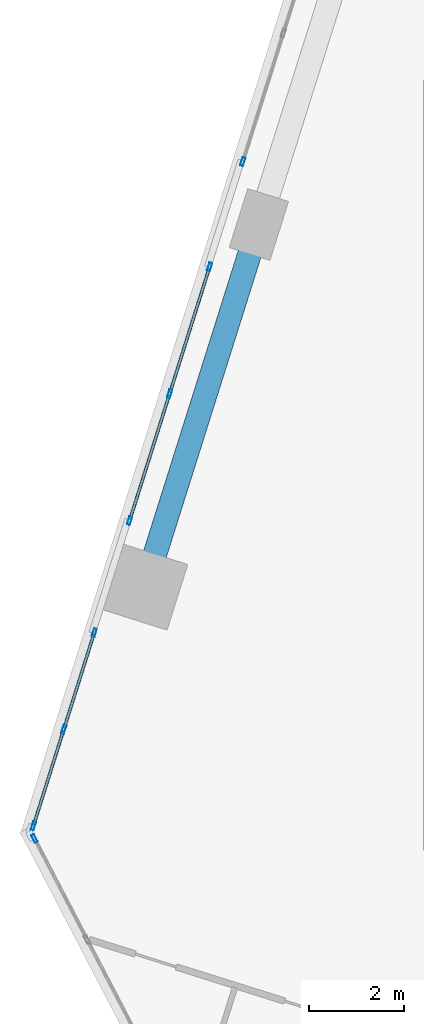
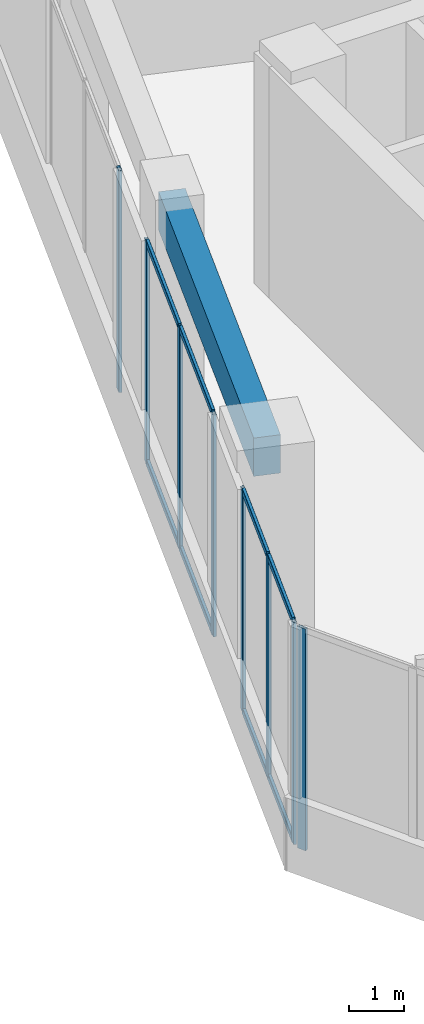
# One storey, part 6 of 28: 16 members, 1 beam, 4 elements without a shape of their own.
"""IFC4 building model written with IfcOpenShell, lengths in metres."""

from ifc_helpers import new_model, si_unit, direction, frame, origin, origin_2d, place, context, subcontext, project, spatial, rectangle, hollow_rectangle, extrude, source, transform, mapped, material, material_profile, profile_set, type_object, element, aggregate, save


model = new_model("IFC4")

# Units and contexts
model_context = context("Model", 3, precision=1e-05, world=origin(), true_north=direction((0.0, 1.0)))
body_context = subcontext(model_context, "Body", "Model", "MODEL_VIEW")
ifc_project = project(units=[si_unit("LENGTHUNIT", "METRE"), si_unit("AREAUNIT", "SQUARE_METRE"), si_unit("VOLUMEUNIT", "CUBIC_METRE"), si_unit("PLANEANGLEUNIT", "RADIAN"), si_unit("MASSUNIT", "GRAM", prefix="KILO")], contexts=[model_context])

# Site, building, storey
site_placement = place(None, origin())
site = spatial("IfcSite", under=ifc_project, at=site_placement, CompositionType="ELEMENT")
building_placement = place(site_placement, origin())
building = spatial("IfcBuilding", under=site, at=building_placement, Name="Torre Montelarca", CompositionType="ELEMENT")
storey_placement = place(building_placement, frame((0.0, 0.0, 116.800048828125)))
storey = spatial("IfcBuildingStorey", under=building, at=storey_placement, Name="L26", CompositionType="ELEMENT", Elevation=116.800048828125)

# Beam
ifc_material_1 = material(Name="Concrete C55/67", Category="concrete")
ifc_material_profile_1 = material_profile(ifc_material_1, rectangle(XDim=0.5, YDim=0.85009765625, at=origin_2d()), Name="RCB500X850", Category="concrete")
ifc_profile_set_1 = profile_set([ifc_material_profile_1], Name="Concrete C55/67")
beam_type = type_object("IfcBeamType", Name="BM-SP-RC850-EXT", PredefinedType="SPANDREL", material=ifc_profile_set_1)
shared_shape_1 = source(origin(), body_context, "Body", "SweptSolid", [
    extrude(rectangle(XDim=0.5, YDim=0.85009765625, at=origin_2d()), origin(), (0.0, 0.0, 1.0), 8.0),
])
beam_placement = place(storey_placement, frame((3.024169921875, 29.437255859375, 4.695068359375), z_axis=(0.300722386371, 0.953711720771, 0.0), x_axis=(-0.953711720771, 0.300722386371, 0.0)))
element("IfcBeam", 1, at=beam_placement, inside=storey, type_object=beam_type, Name="L26 Grid Girder Y 24.0-32.0 at X=4.7", PredefinedType="SPANDREL", context=body_context, shape_type="MappedRepresentation", body=[
    mapped(shared_shape_1, transform((0.0, 0.0, 0.0), scale=1.0)),
])

# Curtain wall, members
ifc_material_2 = material(Name="Insulated low-E laminated glass", Category="glass")
curtain_wall_type = type_object("IfcCurtainWallType", Name="CW-SYS-Z1", PredefinedType="USERDEFINED", material=ifc_material_2)
curtain_wall_1_placement = place(storey_placement, origin())
curtain_wall_1 = element("IfcCurtainWall", 2, at=curtain_wall_1_placement, inside=storey, type_object=curtain_wall_type, Name="L26 Curtain Wall Run CW-T3-L26-E10-B2", ObjectType="UNITISED GLAZING", PredefinedType="USERDEFINED")
ifc_material_3 = material(Name="Anodised aluminium AA 6063-T6", Category="aluminium")
ifc_material_profile_2 = material_profile(ifc_material_3, hollow_rectangle(XDim=0.06494140625, YDim=0.139892578125, WallThickness=0.00390625, InnerFilletRadius=0.00390625, OuterFilletRadius=0.008056640625, at=origin_2d()), Name="ALU65X140X4", Category="aluminium")
ifc_profile_set_2 = profile_set([ifc_material_profile_2], Name="Anodised aluminium AA 6063-T6")
member_type_1 = type_object("IfcMemberType", Name="CWT-ALU140", PredefinedType="USERDEFINED", material=ifc_profile_set_2)
shared_shape_2 = source(origin(), body_context, "Body", "SweptSolid", [
    extrude(hollow_rectangle(XDim=0.06494140625, YDim=0.139892578125, WallThickness=0.00390625, InnerFilletRadius=0.00390625, OuterFilletRadius=0.008056640625, at=origin_2d()), origin(), (0.0, 0.0, 1.0), 2.735107421875),
])
member_1_placement = place(storey_placement, frame((3.5419921875, 33.473388671875, 0.032470703125), z_axis=(-0.300734033524, -0.953708048136, 0.0), x_axis=(0.953708048136, -0.300734033524, 0.0)))
member_1 = element("IfcMember", 3, at=member_1_placement, type_object=member_type_1, Name="CW transom 2.1", ObjectType="TRANSOM", PredefinedType="USERDEFINED", context=body_context, shape_type="MappedRepresentation", body=[
    mapped(shared_shape_2, transform((0.0, 0.0, 0.0), scale=1.0)),
])
member_2_placement = place(storey_placement, frame((3.5419921875, 33.473388671875, 4.887451171875), z_axis=(-0.300734033524, -0.953708048136, 0.0), x_axis=(0.953708048136, -0.300734033524, 0.0)))
member_2 = element("IfcMember", 4, at=member_2_placement, type_object=member_type_1, Name="CW transom 2.2", ObjectType="TRANSOM", PredefinedType="USERDEFINED", context=body_context, shape_type="MappedRepresentation", body=[
    mapped(shared_shape_2, transform((0.0, 0.0, 0.0), scale=1.0)),
])

curtain_wall_2_placement = place(storey_placement, origin())
curtain_wall_2 = element("IfcCurtainWall", 5, at=curtain_wall_2_placement, inside=storey, type_object=curtain_wall_type, Name="L26 Curtain Wall Run CW-T3-L26-E10-B3", ObjectType="UNITISED GLAZING", PredefinedType="USERDEFINED")
shared_shape_3 = source(origin(), body_context, "Body", "SweptSolid", [
    extrude(hollow_rectangle(XDim=0.06494140625, YDim=0.139892578125, WallThickness=0.00390625, InnerFilletRadius=0.00390625, OuterFilletRadius=0.008056640625, at=origin_2d()), origin(), (0.0, 0.0, 1.0), 2.067138671875),
])
member_3_placement = place(storey_placement, frame((1.95556640625, 28.442626953125, 0.032470703125), z_axis=(-0.300701747305, -0.953718228392, 0.0), x_axis=(0.953718228392, -0.300701747305, 0.0)))
member_3 = element("IfcMember", 6, at=member_3_placement, type_object=member_type_1, Name="CW transom 1.1", ObjectType="TRANSOM", PredefinedType="USERDEFINED", context=body_context, shape_type="MappedRepresentation", body=[
    mapped(shared_shape_3, transform((0.0, 0.0, 0.0), scale=1.0)),
])
member_4_placement = place(storey_placement, frame((1.95556640625, 28.442626953125, 4.887451171875), z_axis=(-0.300701747305, -0.953718228392, 0.0), x_axis=(0.953718228392, -0.300701747305, 0.0)))
member_4 = element("IfcMember", 7, at=member_4_placement, type_object=member_type_1, Name="CW transom 1.2", ObjectType="TRANSOM", PredefinedType="USERDEFINED", context=body_context, shape_type="MappedRepresentation", body=[
    mapped(shared_shape_3, transform((0.0, 0.0, 0.0), scale=1.0)),
])
member_5_placement = place(storey_placement, frame((1.314453125, 26.4091796875, 0.032470703125), z_axis=(-0.300701747305, -0.953718228392, 0.0), x_axis=(0.953718228392, -0.300701747305, 0.0)))
member_5 = element("IfcMember", 8, at=member_5_placement, type_object=member_type_1, Name="CW transom 2.1", ObjectType="TRANSOM", PredefinedType="USERDEFINED", context=body_context, shape_type="MappedRepresentation", body=[
    mapped(shared_shape_3, transform((0.0, 0.0, 0.0), scale=1.0)),
])
member_6_placement = place(storey_placement, frame((1.314453125, 26.4091796875, 4.887451171875), z_axis=(-0.300701747305, -0.953718228392, 0.0), x_axis=(0.953718228392, -0.300701747305, 0.0)))
member_6 = element("IfcMember", 9, at=member_6_placement, type_object=member_type_1, Name="CW transom 2.2", ObjectType="TRANSOM", PredefinedType="USERDEFINED", context=body_context, shape_type="MappedRepresentation", body=[
    mapped(shared_shape_3, transform((0.0, 0.0, 0.0), scale=1.0)),
])

# Member
shared_shape_4 = source(origin(), body_context, "Body", "SweptSolid", [
    extrude(hollow_rectangle(XDim=0.06494140625, YDim=0.139892578125, WallThickness=0.00390625, InnerFilletRadius=0.00390625, OuterFilletRadius=0.008056640625, at=origin_2d()), origin(), (0.0, 0.0, 1.0), 2.73486328125),
])
member_7_placement = place(storey_placement, frame((4.3837890625, 36.143798828125, 0.032470703125), z_axis=(-0.3006528384, -0.953733647704, 0.0), x_axis=(0.953733647704, -0.3006528384, 0.0)))
member_7 = element("IfcMember", 10, at=member_7_placement, type_object=member_type_1, Name="CW transom 1.1", ObjectType="TRANSOM", PredefinedType="USERDEFINED", context=body_context, shape_type="MappedRepresentation", body=[
    mapped(shared_shape_4, transform((0.0, 0.0, 0.0), scale=1.0)),
])

member_8_placement = place(storey_placement, frame((4.3837890625, 36.143798828125, 4.887451171875), z_axis=(-0.3006528384, -0.953733647704, 0.0), x_axis=(0.953733647704, -0.3006528384, 0.0)))
member_8 = element("IfcMember", 11, at=member_8_placement, type_object=member_type_1, Name="CW transom 1.2", ObjectType="TRANSOM", PredefinedType="USERDEFINED", context=body_context, shape_type="MappedRepresentation", body=[
    mapped(shared_shape_4, transform((0.0, 0.0, 0.0), scale=1.0)),
])

# Curtain wall, member
curtain_wall_3_placement = place(storey_placement, origin())
curtain_wall_3 = element("IfcCurtainWall", 12, at=curtain_wall_3_placement, inside=storey, type_object=curtain_wall_type, Name="L26 Curtain Wall Run CW-T3-L26-E10-B1", ObjectType="UNITISED GLAZING", PredefinedType="USERDEFINED")
ifc_material_profile_3 = material_profile(ifc_material_3, hollow_rectangle(XDim=0.06494140625, YDim=0.179931640625, WallThickness=0.00390625, InnerFilletRadius=0.00390625, OuterFilletRadius=0.008056640625, at=origin_2d()), Name="ALU65X180X4", Category="aluminium")
ifc_profile_set_3 = profile_set([ifc_material_profile_3], Name="Anodised aluminium AA 6063-T6")
member_type_2 = type_object("IfcMemberType", Name="CWM-ALU180", PredefinedType="MULLION", material=ifc_profile_set_3)
shared_shape_5 = source(origin(), body_context, "Body", "SweptSolid", [
    extrude(hollow_rectangle(XDim=0.06494140625, YDim=0.179931640625, WallThickness=0.00390625, InnerFilletRadius=0.00390625, OuterFilletRadius=0.008056640625, at=origin_2d()), origin(), (0.0, 0.0, 1.0), 4.919921875),
])
member_9_placement = place(storey_placement, frame((5.0927734375, 38.39208984375, 0.0), z_axis=(0.0, 0.0, 1.0), x_axis=(0.953718957259, -0.30069943559, 0.0)))
member_9 = element("IfcMember", 13, at=member_9_placement, type_object=member_type_2, Name="CW mullion 3", PredefinedType="MULLION", context=body_context, shape_type="MappedRepresentation", body=[
    mapped(shared_shape_5, transform((0.0, 0.0, 0.0), scale=1.0)),
])
aggregate(curtain_wall_3, [member_9])

# Member
member_10_placement = place(storey_placement, frame((4.3935546875, 36.1748046875, 0.0), z_axis=(0.0, 0.0, 1.0), x_axis=(0.953716763263, -0.300706394131, 0.0)))
member_10 = element("IfcMember", 14, at=member_10_placement, type_object=member_type_2, Name="CW mullion 1", PredefinedType="MULLION", context=body_context, shape_type="MappedRepresentation", body=[
    mapped(shared_shape_5, transform((0.0, 0.0, 0.0), scale=1.0)),
])

member_11_placement = place(storey_placement, frame((3.5517578125, 33.50439453125, 0.0), z_axis=(0.0, 0.0, 1.0), x_axis=(0.953716763263, -0.300706394131, 0.0)))
member_11 = element("IfcMember", 15, at=member_11_placement, type_object=member_type_2, Name="CW mullion 2", PredefinedType="MULLION", context=body_context, shape_type="MappedRepresentation", body=[
    mapped(shared_shape_5, transform((0.0, 0.0, 0.0), scale=1.0)),
])

member_12_placement = place(storey_placement, frame((2.709716796875, 30.833984375, 0.0), z_axis=(0.0, 0.0, 1.0), x_axis=(0.953716763263, -0.300706394131, 0.0)))
member_12 = element("IfcMember", 16, at=member_12_placement, type_object=member_type_2, Name="CW mullion 3", PredefinedType="MULLION", context=body_context, shape_type="MappedRepresentation", body=[
    mapped(shared_shape_5, transform((0.0, 0.0, 0.0), scale=1.0)),
])

aggregate(curtain_wall_1, [member_10, member_11, member_12, member_7, member_8, member_1, member_2])

member_13_placement = place(storey_placement, frame((1.96533203125, 28.473388671875, 0.0), z_axis=(0.0, 0.0, 1.0), x_axis=(0.953717324343, -0.300704614611, 0.0)))
member_13 = element("IfcMember", 17, at=member_13_placement, type_object=member_type_2, Name="CW mullion 1", PredefinedType="MULLION", context=body_context, shape_type="MappedRepresentation", body=[
    mapped(shared_shape_5, transform((0.0, 0.0, 0.0), scale=1.0)),
])

member_14_placement = place(storey_placement, frame((1.32421875, 26.440185546875, 0.0), z_axis=(0.0, 0.0, 1.0), x_axis=(0.953717324343, -0.300704614611, 0.0)))
member_14 = element("IfcMember", 18, at=member_14_placement, type_object=member_type_2, Name="CW mullion 2", PredefinedType="MULLION", context=body_context, shape_type="MappedRepresentation", body=[
    mapped(shared_shape_5, transform((0.0, 0.0, 0.0), scale=1.0)),
])

member_15_placement = place(storey_placement, frame((0.68310546875, 24.40673828125, 0.0), z_axis=(0.0, 0.0, 1.0), x_axis=(0.953717324343, -0.300704614611, 0.0)))
member_15 = element("IfcMember", 19, at=member_15_placement, type_object=member_type_2, Name="CW mullion 3", PredefinedType="MULLION", context=body_context, shape_type="MappedRepresentation", body=[
    mapped(shared_shape_5, transform((0.0, 0.0, 0.0), scale=1.0)),
])

aggregate(curtain_wall_2, [member_13, member_14, member_15, member_3, member_4, member_5, member_6])

# Curtain wall, member
curtain_wall_4_placement = place(storey_placement, origin())
curtain_wall_4 = element("IfcCurtainWall", 20, at=curtain_wall_4_placement, inside=storey, type_object=curtain_wall_type, Name="L26 Curtain Wall Run CW-T3-L26-E11-B1", ObjectType="UNITISED GLAZING", PredefinedType="USERDEFINED")
member_16_placement = place(storey_placement, frame((0.706298828125, 24.140869140625, 0.0), z_axis=(0.0, 0.0, 1.0), x_axis=(0.88701003306, 0.461750150245, 0.0)))
member_16 = element("IfcMember", 21, at=member_16_placement, type_object=member_type_2, Name="CW mullion 1", PredefinedType="MULLION", context=body_context, shape_type="MappedRepresentation", body=[
    mapped(shared_shape_5, transform((0.0, 0.0, 0.0), scale=1.0)),
])
aggregate(curtain_wall_4, [member_16])

save(model, "model.ifc")
